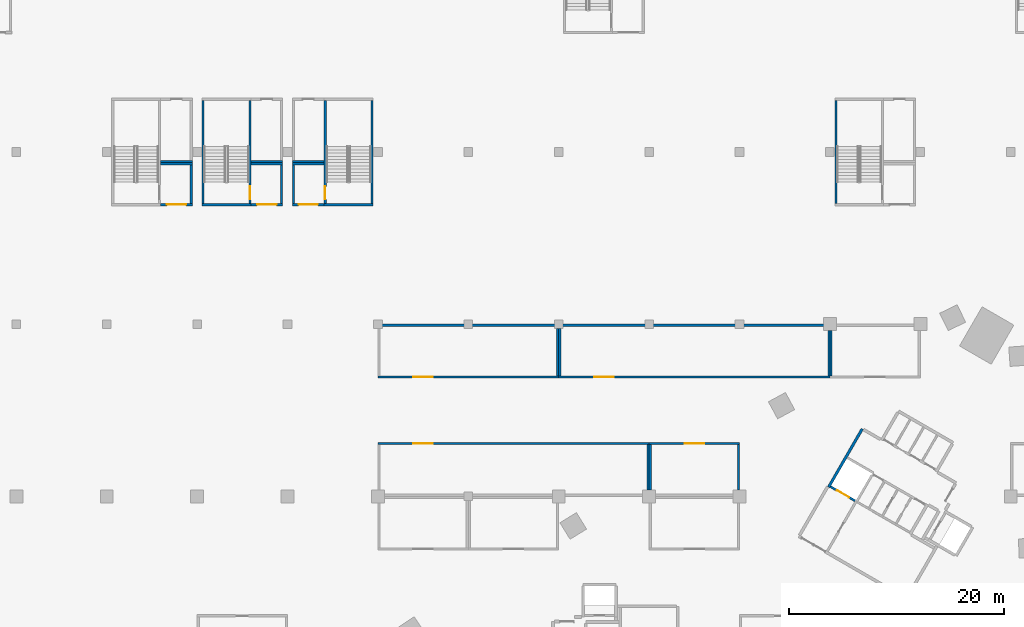
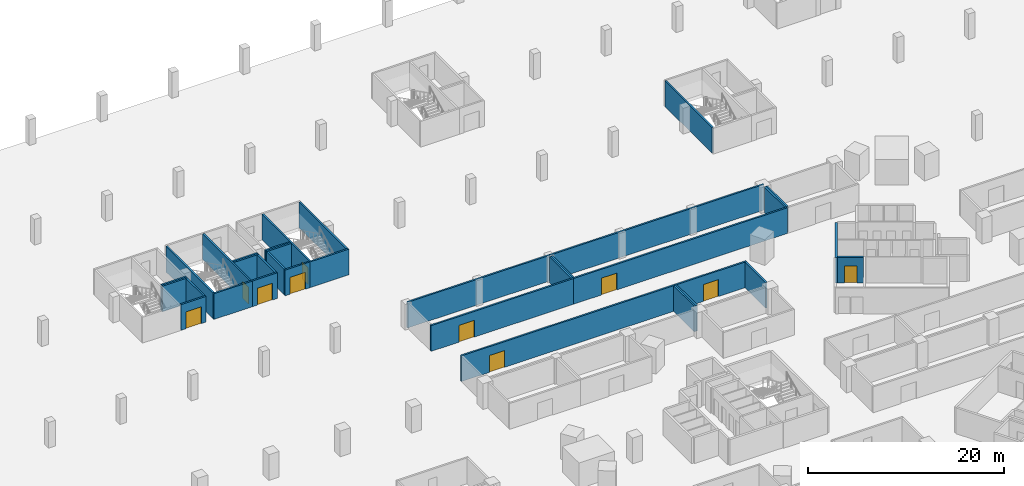
# One storey, part 11 of 37: 34 walls, 10 doors, 10 openings.
"""IFC4 building model written with IfcOpenShell, lengths in metres."""

from ifc_helpers import new_model, si_unit, direction, frame, frame_2d, origin, place, context, subcontext, project, spatial, rectangle, extrude, material, layer, layer_set, type_object, element, fill, save


model = new_model("IFC4")

# Units and contexts
model_context = context("Model", 3, precision=1e-05, world=origin(), true_north=direction((0.0, 1.0)))
body_context = subcontext(model_context, "Body", "Model", "MODEL_VIEW")
ifc_project = project(units=[si_unit("LENGTHUNIT", "METRE"), si_unit("AREAUNIT", "SQUARE_METRE"), si_unit("VOLUMEUNIT", "CUBIC_METRE"), si_unit("PLANEANGLEUNIT", "RADIAN"), si_unit("MASSUNIT", "GRAM", prefix="KILO")], contexts=[model_context])

# Site, building, storey
site_placement = place(None, origin())
site = spatial("IfcSite", under=ifc_project, at=site_placement, CompositionType="ELEMENT")
building_placement = place(site_placement, origin())
building = spatial("IfcBuilding", under=site, at=building_placement, Name="Tamra Quay Hotel Tower", CompositionType="ELEMENT")
storey_placement = place(building_placement, frame((0.0, 0.0, -7.199951171875)))
storey = spatial("IfcBuildingStorey", under=building, at=storey_placement, Name="B2", CompositionType="ELEMENT", Elevation=-7.199951171875)

# Wall, opening, door
ifc_material_1 = material(Name="Blockwork", Category="masonry")
ifc_layer_1 = layer(ifc_material_1, 0.199951171875)
ifc_layer_set_1 = layer_set([ifc_layer_1], Name="Car park room wall 200")
wall_type_1 = type_object("IfcWallType", Name="Car park room wall 200", PredefinedType="PARTITIONING", material=ifc_layer_set_1)
wall_1_placement = place(storey_placement, frame((-38.699951171875, 20.89990234375, 0.0), z_axis=(0.0, 0.0, 1.0), x_axis=(1.0, 0.0, 0.0)))
wall_1 = element("IfcWall", 1, at=wall_1_placement, inside=storey, type_object=wall_type_1, Name="PW", PredefinedType="PARTITIONING", context=body_context, shape_type="SweptSolid", body=[
    extrude(rectangle(XDim=25.199951171875, YDim=0.199951171875, at=frame_2d((12.60009765625, 0.0))), origin(), (0.0, 0.0, 1.0), 3.199951171875),
])
opening_1_placement = place(wall_1_placement, frame((3.300048828125, 0.0, 0.0)))
opening_1 = element("IfcOpeningElement", 2, at=opening_1_placement, cuts=wall_1, Name="Opening PD2", PredefinedType="OPENING", context=body_context, shape_type="SweptSolid", body=[
    extrude(rectangle(XDim=1.800048828125, YDim=2.10009765625, at=frame_2d((0.89990234375, 1.050048828125))), frame((0.0, 0.10986328125, 0.0), z_axis=(0.0, -1.0, 0.0), x_axis=(1.0, 0.0, 0.0)), (0.0, 0.0, 1.0), 0.219970703125),
])
ifc_material_2 = material(Name="Plant door 1800 x 2100")
door_type_1 = type_object("IfcDoorType", Name="Plant door 1800 x 2100", OperationType="DOUBLE_DOOR_SINGLE_SWING", PredefinedType="DOOR", material=ifc_material_2)
door_1_placement = place(opening_1_placement, origin())
door_1 = element("IfcDoor", 3, at=door_1_placement, inside=storey, type_object=door_type_1, Name="PD2", OperationType="DOUBLE_DOOR_SINGLE_SWING", OverallHeight=2.10009765625, OverallWidth=1.800048828125, PredefinedType="DOOR", context=body_context, shape_type="SweptSolid", body=[
    extrude(rectangle(XDim=1.800048828125, YDim=2.10009765625, at=frame_2d((0.89990234375, 1.050048828125))), frame((0.0, 0.02490234375, 0.0), z_axis=(0.0, -1.0, 0.0), x_axis=(1.0, 0.0, 0.0)), (0.0, 0.0, 1.0), 0.050048828125),
])
fill(opening_1, door_1)

# Wall
wall_2_placement = place(storey_placement, frame((-13.60009765625, 16.60009765625, 0.0), z_axis=(0.0, 0.0, 1.0), x_axis=(0.0, 1.0, 0.0)))
element("IfcWall", 4, at=wall_2_placement, inside=storey, type_object=wall_type_1, Name="PW", PredefinedType="PARTITIONING", context=body_context, shape_type="SweptSolid", body=[
    extrude(rectangle(XDim=4.199951171875, YDim=0.199951171875, at=frame_2d((2.10009765625, 0.0))), origin(), (0.0, 0.0, 1.0), 3.199951171875),
])

# Wall, opening, door
wall_3_placement = place(storey_placement, frame((-13.5, 20.89990234375, 0.0), z_axis=(0.0, 0.0, 1.0), x_axis=(1.0, 0.0, 0.0)))
wall_3 = element("IfcWall", 5, at=wall_3_placement, inside=storey, type_object=wall_type_1, Name="PW", PredefinedType="PARTITIONING", context=body_context, shape_type="SweptSolid", body=[
    extrude(rectangle(XDim=8.39990234375, YDim=0.199951171875, at=frame_2d((4.199951171875, 0.0))), origin(), (0.0, 0.0, 1.0), 3.199951171875),
])
opening_2_placement = place(wall_3_placement, frame((3.300048828125, 0.0, 0.0)))
opening_2 = element("IfcOpeningElement", 6, at=opening_2_placement, cuts=wall_3, Name="Opening PD2", PredefinedType="OPENING", context=body_context, shape_type="SweptSolid", body=[
    extrude(rectangle(XDim=1.800048828125, YDim=2.10009765625, at=frame_2d((0.89990234375, 1.050048828125))), frame((0.0, 0.10986328125, 0.0), z_axis=(0.0, -1.0, 0.0), x_axis=(1.0, 0.0, 0.0)), (0.0, 0.0, 1.0), 0.219970703125),
])
door_2_placement = place(opening_2_placement, origin())
door_2 = element("IfcDoor", 7, at=door_2_placement, inside=storey, type_object=door_type_1, Name="PD2", OperationType="DOUBLE_DOOR_SINGLE_SWING", OverallHeight=2.10009765625, OverallWidth=1.800048828125, PredefinedType="DOOR", context=body_context, shape_type="SweptSolid", body=[
    extrude(rectangle(XDim=1.800048828125, YDim=2.10009765625, at=frame_2d((0.89990234375, 1.050048828125))), frame((0.0, 0.02490234375, 0.0), z_axis=(0.0, -1.0, 0.0), x_axis=(1.0, 0.0, 0.0)), (0.0, 0.0, 1.0), 0.050048828125),
])
fill(opening_2, door_2)

# Walls
for number, where, z_axis, x_axis, name in (
    (8, (-13.39990234375, 16.60009765625, 0.0), (0.0, 0.0, 1.0), (0.0, 1.0, 0.0), "PW"),
    (9, (-5.199951171875, 16.60009765625, 0.0), (0.0, 0.0, 1.0), (0.0, 1.0, 0.0), "PW"),
):
    element("IfcWall", number, at=place(storey_placement, frame(where, z_axis=z_axis, x_axis=x_axis)), inside=storey, type_object=wall_type_1, Name=name, PredefinedType="PARTITIONING", context=body_context, shape_type="SweptSolid", body=[
        extrude(rectangle(XDim=4.199951171875, YDim=0.199951171875, at=frame_2d((2.10009765625, 0.0))), origin(), (0.0, 0.0, 1.0), 3.199951171875),
    ])

# Wall, opening, door
wall_4_placement = place(storey_placement, frame((-38.699951171875, 27.10009765625, 0.0), z_axis=(0.0, 0.0, 1.0), x_axis=(1.0, 0.0, 0.0)))
wall_4 = element("IfcWall", 10, at=wall_4_placement, inside=storey, type_object=wall_type_1, Name="PW", PredefinedType="PARTITIONING", context=body_context, shape_type="SweptSolid", body=[
    extrude(rectangle(XDim=16.800048828125, YDim=0.199951171875, at=frame_2d((8.39990234375, 0.0))), origin(), (0.0, 0.0, 1.0), 3.199951171875),
])
opening_3_placement = place(wall_4_placement, frame((3.300048828125, 0.0, 0.0)))
opening_3 = element("IfcOpeningElement", 11, at=opening_3_placement, cuts=wall_4, Name="Opening PD2", PredefinedType="OPENING", context=body_context, shape_type="SweptSolid", body=[
    extrude(rectangle(XDim=1.800048828125, YDim=2.10009765625, at=frame_2d((0.89990234375, 1.050048828125))), frame((0.0, 0.10986328125, 0.0), z_axis=(0.0, -1.0, 0.0), x_axis=(1.0, 0.0, 0.0)), (0.0, 0.0, 1.0), 0.219970703125),
])
door_3_placement = place(opening_3_placement, origin())
door_3 = element("IfcDoor", 12, at=door_3_placement, inside=storey, type_object=door_type_1, Name="PD2", OperationType="DOUBLE_DOOR_SINGLE_SWING", OverallHeight=2.10009765625, OverallWidth=1.800048828125, PredefinedType="DOOR", context=body_context, shape_type="SweptSolid", body=[
    extrude(rectangle(XDim=1.800048828125, YDim=2.10009765625, at=frame_2d((0.89990234375, 1.050048828125))), frame((0.0, 0.02490234375, 0.0), z_axis=(0.0, -1.0, 0.0), x_axis=(1.0, 0.0, 0.0)), (0.0, 0.0, 1.0), 0.050048828125),
])
fill(opening_3, door_3)

# Walls
wall_5_placement = place(storey_placement, frame((-38.699951171875, 31.89990234375, 0.0), z_axis=(0.0, 0.0, 1.0), x_axis=(1.0, 0.0, 0.0)))
element("IfcWall", 13, at=wall_5_placement, inside=storey, type_object=wall_type_1, Name="PW", PredefinedType="PARTITIONING", context=body_context, shape_type="SweptSolid", body=[
    extrude(rectangle(XDim=16.800048828125, YDim=0.199951171875, at=frame_2d((8.39990234375, 0.0))), origin(), (0.0, 0.0, 1.0), 3.199951171875),
])
wall_6_placement = place(storey_placement, frame((-22.0, 27.199951171875, 0.0), z_axis=(0.0, 0.0, 1.0), x_axis=(0.0, 1.0, 0.0)))
element("IfcWall", 14, at=wall_6_placement, inside=storey, type_object=wall_type_1, Name="PW", PredefinedType="PARTITIONING", context=body_context, shape_type="SweptSolid", body=[
    extrude(rectangle(XDim=4.400146484375, YDim=0.199951171875, at=frame_2d((2.2001953125, 0.0))), origin(), (0.0, 0.0, 1.0), 3.199951171875),
])

# Wall, opening, door
wall_7_placement = place(storey_placement, frame((-21.89990234375, 27.10009765625, 0.0), z_axis=(0.0, 0.0, 1.0), x_axis=(1.0, 0.0, 0.0)))
wall_7 = element("IfcWall", 15, at=wall_7_placement, inside=storey, type_object=wall_type_1, Name="PW", PredefinedType="PARTITIONING", context=body_context, shape_type="SweptSolid", body=[
    extrude(rectangle(XDim=25.199951171875, YDim=0.199951171875, at=frame_2d((12.60009765625, 0.0))), origin(), (0.0, 0.0, 1.0), 3.199951171875),
])
opening_4_placement = place(wall_7_placement, frame((3.300048828125, 0.0, 0.0)))
opening_4 = element("IfcOpeningElement", 16, at=opening_4_placement, cuts=wall_7, Name="Opening PD2", PredefinedType="OPENING", context=body_context, shape_type="SweptSolid", body=[
    extrude(rectangle(XDim=1.800048828125, YDim=2.10009765625, at=frame_2d((0.89990234375, 1.050048828125))), frame((0.0, 0.10986328125, 0.0), z_axis=(0.0, -1.0, 0.0), x_axis=(1.0, 0.0, 0.0)), (0.0, 0.0, 1.0), 0.219970703125),
])
door_4_placement = place(opening_4_placement, origin())
door_4 = element("IfcDoor", 17, at=door_4_placement, inside=storey, type_object=door_type_1, Name="PD2", OperationType="DOUBLE_DOOR_SINGLE_SWING", OverallHeight=2.10009765625, OverallWidth=1.800048828125, PredefinedType="DOOR", context=body_context, shape_type="SweptSolid", body=[
    extrude(rectangle(XDim=1.800048828125, YDim=2.10009765625, at=frame_2d((0.89990234375, 1.050048828125))), frame((0.0, 0.02490234375, 0.0), z_axis=(0.0, -1.0, 0.0), x_axis=(1.0, 0.0, 0.0)), (0.0, 0.0, 1.0), 0.050048828125),
])
fill(opening_4, door_4)

# Walls
wall_8_placement = place(storey_placement, frame((-21.89990234375, 31.89990234375, 0.0), z_axis=(0.0, 0.0, 1.0), x_axis=(1.0, 0.0, 0.0)))
element("IfcWall", 18, at=wall_8_placement, inside=storey, type_object=wall_type_1, Name="PW", PredefinedType="PARTITIONING", context=body_context, shape_type="SweptSolid", body=[
    extrude(rectangle(XDim=25.199951171875, YDim=0.199951171875, at=frame_2d((12.60009765625, 0.0))), origin(), (0.0, 0.0, 1.0), 3.199951171875),
])
wall_9_placement = place(storey_placement, frame((-21.800048828125, 27.199951171875, 0.0), z_axis=(0.0, 0.0, 1.0), x_axis=(0.0, 1.0, 0.0)))
element("IfcWall", 19, at=wall_9_placement, inside=storey, type_object=wall_type_1, Name="PW", PredefinedType="PARTITIONING", context=body_context, shape_type="SweptSolid", body=[
    extrude(rectangle(XDim=4.400146484375, YDim=0.199951171875, at=frame_2d((2.2001953125, 0.0))), origin(), (0.0, 0.0, 1.0), 3.199951171875),
])
for number, where, z_axis, x_axis, name in (
    (20, (3.199951171875, 27.199951171875, 0.0), (0.0, 0.0, 1.0), (0.0, 1.0, 0.0), "PW"),
    (21, (3.39990234375, 27.199951171875, 0.0), (0.0, 0.0, 1.0), (0.0, 1.0, 0.0), "PW"),
):
    element("IfcWall", number, at=place(storey_placement, frame(where, z_axis=z_axis, x_axis=x_axis)), inside=storey, type_object=wall_type_1, Name=name, PredefinedType="PARTITIONING", context=body_context, shape_type="SweptSolid", body=[
        extrude(rectangle(XDim=4.199951171875, YDim=0.199951171875, at=frame_2d((2.10009765625, 0.0))), origin(), (0.0, 0.0, 1.0), 3.199951171875),
    ])

# Wall, opening, door
wall_10_placement = place(storey_placement, frame((-58.89990234375, 43.10009765625, 0.0), z_axis=(0.0, 0.0, 1.0), x_axis=(1.0, 0.0, 0.0)))
wall_10 = element("IfcWall", 22, at=wall_10_placement, inside=storey, type_object=wall_type_1, Name="PW", PredefinedType="PARTITIONING", context=body_context, shape_type="SweptSolid", body=[
    extrude(rectangle(XDim=2.949951171875, YDim=0.199951171875, at=frame_2d((1.47509765625, 0.0))), origin(), (0.0, 0.0, 1.0), 3.199951171875),
])
opening_5_placement = place(wall_10_placement, frame((0.574951171875, 0.0, 0.0)))
opening_5 = element("IfcOpeningElement", 23, at=opening_5_placement, cuts=wall_10, Name="Opening PD2", PredefinedType="OPENING", context=body_context, shape_type="SweptSolid", body=[
    extrude(rectangle(XDim=1.800048828125, YDim=2.10009765625, at=frame_2d((0.89990234375, 1.050048828125))), frame((0.0, 0.10986328125, 0.0), z_axis=(0.0, -1.0, 0.0), x_axis=(1.0, 0.0, 0.0)), (0.0, 0.0, 1.0), 0.219970703125),
])
door_5_placement = place(opening_5_placement, origin())
door_5 = element("IfcDoor", 24, at=door_5_placement, inside=storey, type_object=door_type_1, Name="PD2", OperationType="DOUBLE_DOOR_SINGLE_SWING", OverallHeight=2.10009765625, OverallWidth=1.800048828125, PredefinedType="DOOR", context=body_context, shape_type="SweptSolid", body=[
    extrude(rectangle(XDim=1.800048828125, YDim=2.10009765625, at=frame_2d((0.89990234375, 1.050048828125))), frame((0.0, 0.02490234375, 0.0), z_axis=(0.0, -1.0, 0.0), x_axis=(1.0, 0.0, 0.0)), (0.0, 0.0, 1.0), 0.050048828125),
])
fill(opening_5, door_5)

# Walls
wall_11_placement = place(storey_placement, frame((-58.89990234375, 46.89990234375, 0.0), z_axis=(0.0, 0.0, 1.0), x_axis=(1.0, 0.0, 0.0)))
element("IfcWall", 25, at=wall_11_placement, inside=storey, type_object=wall_type_1, Name="PW", PredefinedType="PARTITIONING", context=body_context, shape_type="SweptSolid", body=[
    extrude(rectangle(XDim=2.949951171875, YDim=0.199951171875, at=frame_2d((1.47509765625, 0.0))), origin(), (0.0, 0.0, 1.0), 3.199951171875),
])
wall_12_placement = place(storey_placement, frame((-56.050048828125, 43.199951171875, 0.0), z_axis=(0.0, 0.0, 1.0), x_axis=(0.0, 1.0, 0.0)))
element("IfcWall", 26, at=wall_12_placement, inside=storey, type_object=wall_type_1, Name="PW", PredefinedType="PARTITIONING", context=body_context, shape_type="SweptSolid", body=[
    extrude(rectangle(XDim=3.60009765625, YDim=0.199951171875, at=frame_2d((1.800048828125, 0.0))), origin(), (0.0, 0.0, 1.0), 3.199951171875),
])
wall_13_placement = place(storey_placement, frame((-58.89990234375, 47.10009765625, 0.0), z_axis=(0.0, 0.0, 1.0), x_axis=(1.0, 0.0, 0.0)))
element("IfcWall", 27, at=wall_13_placement, inside=storey, type_object=wall_type_1, Name="PW", PredefinedType="PARTITIONING", context=body_context, shape_type="SweptSolid", body=[
    extrude(rectangle(XDim=2.949951171875, YDim=0.199951171875, at=frame_2d((1.47509765625, 0.0))), origin(), (0.0, 0.0, 1.0), 3.199951171875),
])

# Wall, opening, door
wall_14_placement = place(storey_placement, frame((-50.5, 43.10009765625, 0.0), z_axis=(0.0, 0.0, 1.0), x_axis=(1.0, 0.0, 0.0)))
wall_14 = element("IfcWall", 28, at=wall_14_placement, inside=storey, type_object=wall_type_1, Name="PW", PredefinedType="PARTITIONING", context=body_context, shape_type="SweptSolid", body=[
    extrude(rectangle(XDim=2.949951171875, YDim=0.199951171875, at=frame_2d((1.47509765625, 0.0))), origin(), (0.0, 0.0, 1.0), 3.199951171875),
])
opening_6_placement = place(wall_14_placement, frame((0.574951171875, 0.0, 0.0)))
opening_6 = element("IfcOpeningElement", 29, at=opening_6_placement, cuts=wall_14, Name="Opening PD2", PredefinedType="OPENING", context=body_context, shape_type="SweptSolid", body=[
    extrude(rectangle(XDim=1.800048828125, YDim=2.10009765625, at=frame_2d((0.89990234375, 1.050048828125))), frame((0.0, 0.10986328125, 0.0), z_axis=(0.0, -1.0, 0.0), x_axis=(1.0, 0.0, 0.0)), (0.0, 0.0, 1.0), 0.219970703125),
])
door_6_placement = place(opening_6_placement, origin())
door_6 = element("IfcDoor", 30, at=door_6_placement, inside=storey, type_object=door_type_1, Name="PD2", OperationType="DOUBLE_DOOR_SINGLE_SWING", OverallHeight=2.10009765625, OverallWidth=1.800048828125, PredefinedType="DOOR", context=body_context, shape_type="SweptSolid", body=[
    extrude(rectangle(XDim=1.800048828125, YDim=2.10009765625, at=frame_2d((0.89990234375, 1.050048828125))), frame((0.0, 0.02490234375, 0.0), z_axis=(0.0, -1.0, 0.0), x_axis=(1.0, 0.0, 0.0)), (0.0, 0.0, 1.0), 0.050048828125),
])
fill(opening_6, door_6)

# Walls
wall_15_placement = place(storey_placement, frame((-50.5, 46.89990234375, 0.0), z_axis=(0.0, 0.0, 1.0), x_axis=(1.0, 0.0, 0.0)))
element("IfcWall", 31, at=wall_15_placement, inside=storey, type_object=wall_type_1, Name="PW", PredefinedType="PARTITIONING", context=body_context, shape_type="SweptSolid", body=[
    extrude(rectangle(XDim=2.949951171875, YDim=0.199951171875, at=frame_2d((1.47509765625, 0.0))), origin(), (0.0, 0.0, 1.0), 3.199951171875),
])
wall_16_placement = place(storey_placement, frame((-47.64990234375, 43.199951171875, 0.0), z_axis=(0.0, 0.0, 1.0), x_axis=(0.0, 1.0, 0.0)))
element("IfcWall", 32, at=wall_16_placement, inside=storey, type_object=wall_type_1, Name="PW", PredefinedType="PARTITIONING", context=body_context, shape_type="SweptSolid", body=[
    extrude(rectangle(XDim=3.60009765625, YDim=0.199951171875, at=frame_2d((1.800048828125, 0.0))), origin(), (0.0, 0.0, 1.0), 3.199951171875),
])
wall_17_placement = place(storey_placement, frame((-50.5, 47.10009765625, 0.0), z_axis=(0.0, 0.0, 1.0), x_axis=(1.0, 0.0, 0.0)))
element("IfcWall", 33, at=wall_17_placement, inside=storey, type_object=wall_type_1, Name="PW", PredefinedType="PARTITIONING", context=body_context, shape_type="SweptSolid", body=[
    extrude(rectangle(XDim=2.949951171875, YDim=0.199951171875, at=frame_2d((1.47509765625, 0.0))), origin(), (0.0, 0.0, 1.0), 3.199951171875),
])

# Wall, opening, door
wall_18_placement = place(storey_placement, frame((-46.64990234375, 43.10009765625, 0.0), z_axis=(0.0, 0.0, 1.0), x_axis=(1.0, 0.0, 0.0)))
wall_18 = element("IfcWall", 34, at=wall_18_placement, inside=storey, type_object=wall_type_1, Name="PW", PredefinedType="PARTITIONING", context=body_context, shape_type="SweptSolid", body=[
    extrude(rectangle(XDim=2.949951171875, YDim=0.199951171875, at=frame_2d((1.47509765625, 0.0))), origin(), (0.0, 0.0, 1.0), 3.199951171875),
])
opening_7_placement = place(wall_18_placement, frame((0.574951171875, 0.0, 0.0)))
opening_7 = element("IfcOpeningElement", 35, at=opening_7_placement, cuts=wall_18, Name="Opening PD2", PredefinedType="OPENING", context=body_context, shape_type="SweptSolid", body=[
    extrude(rectangle(XDim=1.800048828125, YDim=2.10009765625, at=frame_2d((0.89990234375, 1.050048828125))), frame((0.0, 0.10986328125, 0.0), z_axis=(0.0, -1.0, 0.0), x_axis=(1.0, 0.0, 0.0)), (0.0, 0.0, 1.0), 0.219970703125),
])
door_7_placement = place(opening_7_placement, origin())
door_7 = element("IfcDoor", 36, at=door_7_placement, inside=storey, type_object=door_type_1, Name="PD2", OperationType="DOUBLE_DOOR_SINGLE_SWING", OverallHeight=2.10009765625, OverallWidth=1.800048828125, PredefinedType="DOOR", context=body_context, shape_type="SweptSolid", body=[
    extrude(rectangle(XDim=1.800048828125, YDim=2.10009765625, at=frame_2d((0.89990234375, 1.050048828125))), frame((0.0, 0.02490234375, 0.0), z_axis=(0.0, -1.0, 0.0), x_axis=(1.0, 0.0, 0.0)), (0.0, 0.0, 1.0), 0.050048828125),
])
fill(opening_7, door_7)

# Walls
wall_19_placement = place(storey_placement, frame((-46.64990234375, 46.89990234375, 0.0), z_axis=(0.0, 0.0, 1.0), x_axis=(1.0, 0.0, 0.0)))
element("IfcWall", 37, at=wall_19_placement, inside=storey, type_object=wall_type_1, Name="PW", PredefinedType="PARTITIONING", context=body_context, shape_type="SweptSolid", body=[
    extrude(rectangle(XDim=2.949951171875, YDim=0.199951171875, at=frame_2d((1.47509765625, 0.0))), origin(), (0.0, 0.0, 1.0), 3.199951171875),
])
wall_20_placement = place(storey_placement, frame((-46.550048828125, 43.199951171875, 0.0), z_axis=(0.0, 0.0, 1.0), x_axis=(0.0, 1.0, 0.0)))
element("IfcWall", 38, at=wall_20_placement, inside=storey, type_object=wall_type_1, Name="PW", PredefinedType="PARTITIONING", context=body_context, shape_type="SweptSolid", body=[
    extrude(rectangle(XDim=3.60009765625, YDim=0.199951171875, at=frame_2d((1.800048828125, 0.0))), origin(), (0.0, 0.0, 1.0), 3.199951171875),
])
wall_21_placement = place(storey_placement, frame((-46.64990234375, 47.10009765625, 0.0), z_axis=(0.0, 0.0, 1.0), x_axis=(1.0, 0.0, 0.0)))
element("IfcWall", 39, at=wall_21_placement, inside=storey, type_object=wall_type_1, Name="PW", PredefinedType="PARTITIONING", context=body_context, shape_type="SweptSolid", body=[
    extrude(rectangle(XDim=2.949951171875, YDim=0.199951171875, at=frame_2d((1.47509765625, 0.0))), origin(), (0.0, 0.0, 1.0), 3.199951171875),
])

# Wall, opening, door
ifc_material_3 = material(Name="Concrete M70", Category="concrete")
ifc_layer_2 = layer(ifc_material_3, 0.199951171875)
ifc_layer_set_2 = layer_set([ifc_layer_2], Name="Concrete M70 core wall 200")
wall_type_2 = type_object("IfcWallType", Name="Concrete M70 core wall 200", PredefinedType="SHEAR", material=ifc_layer_set_2)
wall_22_placement = place(storey_placement, frame((5.64453125, 15.576904296875, 0.0), z_axis=(0.0, 0.0, 1.0), x_axis=(-0.866016748302, 0.500014991436, 0.0)))
wall_22 = element("IfcWall", 40, at=wall_22_placement, inside=storey, type_object=wall_type_2, Name="CW2", PredefinedType="SHEAR", context=body_context, shape_type="SweptSolid", body=[
    extrude(rectangle(XDim=2.64892578125, YDim=0.199951171875, at=frame_2d((1.324462890625, 0.0))), origin(), (0.0, 0.0, 1.0), 3.199951171875),
])
opening_8_placement = place(wall_22_placement, frame((0.64990234375, 0.0, 0.0)))
opening_8 = element("IfcOpeningElement", 41, at=opening_8_placement, cuts=wall_22, Name="Opening LD", PredefinedType="OPENING", context=body_context, shape_type="SweptSolid", body=[
    extrude(rectangle(XDim=1.300048828125, YDim=2.10009765625, at=frame_2d((0.64990234375, 1.050048828125))), frame((0.0, 0.10986328125, 0.0), z_axis=(0.0, -1.0, 0.0), x_axis=(1.0, 0.0, 0.0)), (0.0, 0.0, 1.0), 0.219970703125),
])
ifc_material_4 = material(Name="Landing door LD 1300 sliding to left")
door_type_2 = type_object("IfcDoorType", Name="Landing door LD 1300 sliding to left", OperationType="NOTDEFINED", PredefinedType="DOOR", material=ifc_material_4)
door_8_placement = place(opening_8_placement, origin())
door_8 = element("IfcDoor", 42, at=door_8_placement, inside=storey, type_object=door_type_2, Name="LD", OperationType="SLIDING_TO_LEFT", OverallHeight=2.10009765625, OverallWidth=1.300048828125, PredefinedType="DOOR", context=body_context, shape_type="SweptSolid", body=[
    extrude(rectangle(XDim=1.300048828125, YDim=2.10009765625, at=frame_2d((0.64990234375, 1.050048828125))), frame((0.0, 0.02490234375, 0.0), z_axis=(0.0, -1.0, 0.0), x_axis=(1.0, 0.0, 0.0)), (0.0, 0.0, 1.0), 0.050048828125),
])
fill(opening_8, door_8)

# Walls
ifc_layer_3 = layer(ifc_material_3, 0.25)
ifc_layer_set_3 = layer_set([ifc_layer_3], Name="Concrete M70 core wall 250")
wall_type_3 = type_object("IfcWallType", Name="Concrete M70 core wall 250", PredefinedType="SHEAR", material=ifc_layer_set_3)
wall_23_placement = place(storey_placement, frame((3.178955078125, 16.856201171875, 0.0), z_axis=(0.0, 0.0, 1.0), x_axis=(0.500004234368, 0.866022959057, 0.0)))
element("IfcWall", 43, at=wall_23_placement, inside=storey, type_object=wall_type_3, Name="CW1", PredefinedType="SHEAR", context=body_context, shape_type="SweptSolid", body=[
    extrude(rectangle(XDim=6.25, YDim=0.25, at=frame_2d((3.125, 0.0))), origin(), (0.0, 0.0, 1.0), 3.199951171875),
])
ifc_layer_4 = layer(ifc_material_3, 0.199951171875)
ifc_layer_set_4 = layer_set([ifc_layer_4], Name="Concrete M70 stair enclosure wall 200")
wall_type_4 = type_object("IfcWallType", Name="Concrete M70 stair enclosure wall 200", PredefinedType="SOLIDWALL", material=ifc_layer_set_4)
wall_24_placement = place(storey_placement, frame((-54.949951171875, 43.199951171875, 0.0), z_axis=(0.0, 0.0, 1.0), x_axis=(0.0, 1.0, 0.0)))
element("IfcWall", 44, at=wall_24_placement, inside=storey, type_object=wall_type_4, Name="SEW", PredefinedType="SOLIDWALL", context=body_context, shape_type="SweptSolid", body=[
    extrude(rectangle(XDim=9.60009765625, YDim=0.199951171875, at=frame_2d((4.800048828125, 0.0))), origin(), (0.0, 0.0, 1.0), 3.199951171875),
])

# Wall, opening, door
wall_25_placement = place(storey_placement, frame((-50.60009765625, 43.199951171875, 0.0), z_axis=(0.0, 0.0, 1.0), x_axis=(0.0, 1.0, 0.0)))
wall_25 = element("IfcWall", 45, at=wall_25_placement, inside=storey, type_object=wall_type_4, Name="SEW", PredefinedType="SOLIDWALL", context=body_context, shape_type="SweptSolid", body=[
    extrude(rectangle(XDim=9.60009765625, YDim=0.199951171875, at=frame_2d((4.800048828125, 0.0))), origin(), (0.0, 0.0, 1.0), 3.199951171875),
])
opening_9_placement = place(wall_25_placement, frame((0.39990234375, 0.0, 0.0)))
opening_9 = element("IfcOpeningElement", 46, at=opening_9_placement, cuts=wall_25, Name="Opening SD1", PredefinedType="OPENING", context=body_context, shape_type="SweptSolid", body=[
    extrude(rectangle(XDim=1.199951171875, YDim=2.10009765625, at=frame_2d((0.60009765625, 1.050048828125))), frame((0.0, 0.10986328125, 0.0), z_axis=(0.0, -1.0, 0.0), x_axis=(1.0, 0.0, 0.0)), (0.0, 0.0, 1.0), 0.219970703125),
])
ifc_material_5 = material(Name="Stair door 1200 x 2100")
door_type_3 = type_object("IfcDoorType", Name="Stair door 1200 x 2100", OperationType="NOTDEFINED", PredefinedType="DOOR", material=ifc_material_5)
door_9_placement = place(opening_9_placement, origin())
door_9 = element("IfcDoor", 47, at=door_9_placement, inside=storey, type_object=door_type_3, Name="SD1", OperationType="SINGLE_SWING_LEFT", OverallHeight=2.10009765625, OverallWidth=1.199951171875, PredefinedType="DOOR", context=body_context, shape_type="SweptSolid", body=[
    extrude(rectangle(XDim=1.199951171875, YDim=2.10009765625, at=frame_2d((0.60009765625, 1.050048828125))), frame((0.0, 0.02490234375, 0.0), z_axis=(0.0, -1.0, 0.0), x_axis=(1.0, 0.0, 0.0)), (0.0, 0.0, 1.0), 0.050048828125),
])
fill(opening_9, door_9)

# Walls
wall_26_placement = place(storey_placement, frame((-50.5, 43.10009765625, 0.0), z_axis=(0.0, 0.0, 1.0), x_axis=(-1.0, 0.0, 0.0)))
element("IfcWall", 48, at=wall_26_placement, inside=storey, type_object=wall_type_4, Name="SEW", PredefinedType="SOLIDWALL", context=body_context, shape_type="SweptSolid", body=[
    extrude(rectangle(XDim=4.550048828125, YDim=0.199951171875, at=frame_2d((2.27490234375, 0.0))), origin(), (0.0, 0.0, 1.0), 3.199951171875),
])
wall_27_placement = place(storey_placement, frame((3.85009765625, 43.199951171875, 0.0), z_axis=(0.0, 0.0, 1.0), x_axis=(0.0, 1.0, 0.0)))
element("IfcWall", 49, at=wall_27_placement, inside=storey, type_object=wall_type_4, Name="SEW", PredefinedType="SOLIDWALL", context=body_context, shape_type="SweptSolid", body=[
    extrude(rectangle(XDim=9.60009765625, YDim=0.199951171875, at=frame_2d((4.800048828125, 0.0))), origin(), (0.0, 0.0, 1.0), 3.199951171875),
])

# Wall, opening, door
wall_28_placement = place(storey_placement, frame((-43.60009765625, 43.199951171875, 0.0), z_axis=(0.0, 0.0, 1.0), x_axis=(0.0, 1.0, 0.0)))
wall_28 = element("IfcWall", 50, at=wall_28_placement, inside=storey, type_object=wall_type_4, Name="SEW", PredefinedType="SOLIDWALL", context=body_context, shape_type="SweptSolid", body=[
    extrude(rectangle(XDim=9.60009765625, YDim=0.199951171875, at=frame_2d((4.800048828125, 0.0))), origin(), (0.0, 0.0, 1.0), 3.199951171875),
])
opening_10_placement = place(wall_28_placement, frame((0.39990234375, 0.0, 0.0)))
opening_10 = element("IfcOpeningElement", 51, at=opening_10_placement, cuts=wall_28, Name="Opening SD1", PredefinedType="OPENING", context=body_context, shape_type="SweptSolid", body=[
    extrude(rectangle(XDim=1.199951171875, YDim=2.10009765625, at=frame_2d((0.60009765625, 1.050048828125))), frame((0.0, 0.10986328125, 0.0), z_axis=(0.0, -1.0, 0.0), x_axis=(1.0, 0.0, 0.0)), (0.0, 0.0, 1.0), 0.219970703125),
])
door_10_placement = place(opening_10_placement, origin())
door_10 = element("IfcDoor", 52, at=door_10_placement, inside=storey, type_object=door_type_3, Name="SD1", OperationType="SINGLE_SWING_LEFT", OverallHeight=2.10009765625, OverallWidth=1.199951171875, PredefinedType="DOOR", context=body_context, shape_type="SweptSolid", body=[
    extrude(rectangle(XDim=1.199951171875, YDim=2.10009765625, at=frame_2d((0.60009765625, 1.050048828125))), frame((0.0, 0.02490234375, 0.0), z_axis=(0.0, -1.0, 0.0), x_axis=(1.0, 0.0, 0.0)), (0.0, 0.0, 1.0), 0.050048828125),
])
fill(opening_10, door_10)

# Walls
wall_29_placement = place(storey_placement, frame((-39.25, 43.199951171875, 0.0), z_axis=(0.0, 0.0, 1.0), x_axis=(0.0, 1.0, 0.0)))
element("IfcWall", 53, at=wall_29_placement, inside=storey, type_object=wall_type_4, Name="SEW", PredefinedType="SOLIDWALL", context=body_context, shape_type="SweptSolid", body=[
    extrude(rectangle(XDim=9.60009765625, YDim=0.199951171875, at=frame_2d((4.800048828125, 0.0))), origin(), (0.0, 0.0, 1.0), 3.199951171875),
])
wall_30_placement = place(storey_placement, frame((-39.14990234375, 43.10009765625, 0.0), z_axis=(0.0, 0.0, 1.0), x_axis=(-1.0, 0.0, 0.0)))
element("IfcWall", 54, at=wall_30_placement, inside=storey, type_object=wall_type_4, Name="SEW", PredefinedType="SOLIDWALL", context=body_context, shape_type="SweptSolid", body=[
    extrude(rectangle(XDim=4.550048828125, YDim=0.199951171875, at=frame_2d((2.27490234375, 0.0))), origin(), (0.0, 0.0, 1.0), 3.199951171875),
])

save(model, "model.ifc")
